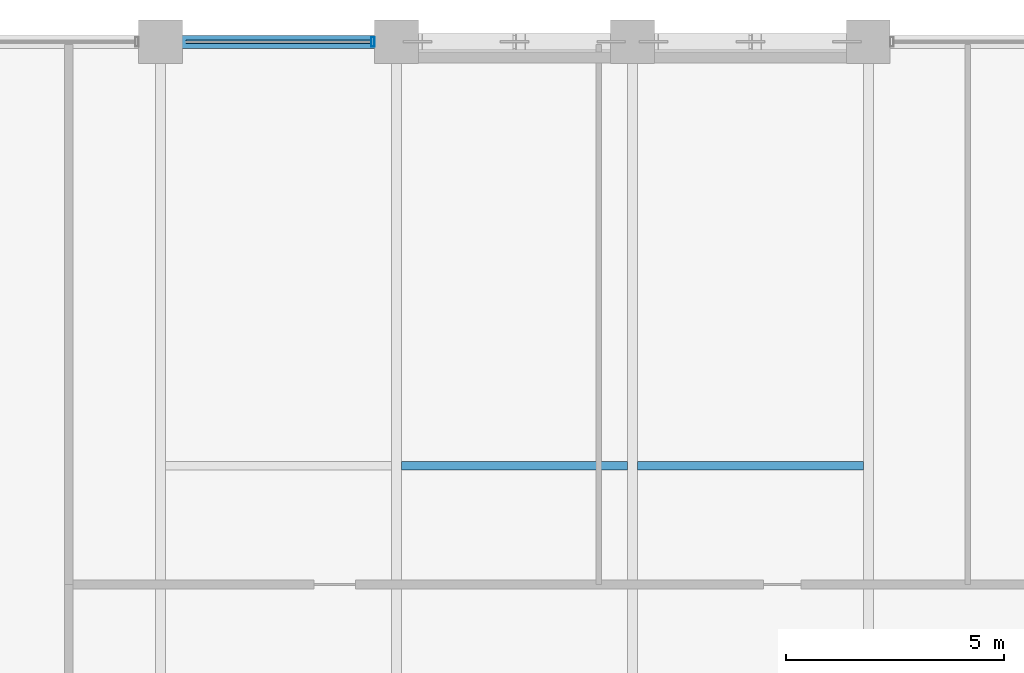
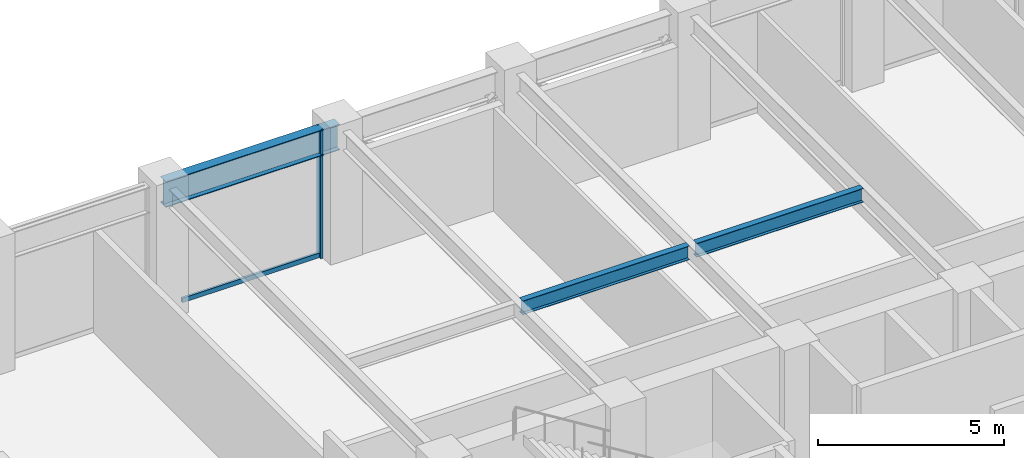
# One storey, part 12 of 25: 3 beams, 2 members, 1 element without a shape of its own.
"""IFC4 building model written with IfcOpenShell, lengths in metres."""

from ifc_helpers import new_model, si_unit, direction, frame, origin, origin_2d, place, context, subcontext, project, spatial, hollow_rectangle, i_section, extrude, material, layer, layer_set, material_profile, profile_set, type_object, element, aggregate, save


model = new_model("IFC4")

# Units and contexts
model_context = context("Model", 3, precision=1e-05, world=origin(), true_north=direction((0.0, 1.0)))
body_context = subcontext(model_context, "Body", "Model", "MODEL_VIEW")
ifc_project = project(units=[si_unit("LENGTHUNIT", "METRE"), si_unit("AREAUNIT", "SQUARE_METRE"), si_unit("VOLUMEUNIT", "CUBIC_METRE"), si_unit("PLANEANGLEUNIT", "RADIAN"), si_unit("MASSUNIT", "GRAM", prefix="KILO")], contexts=[model_context])

# Site, building, storey
site_placement = place(None, origin())
site = spatial("IfcSite", under=ifc_project, at=site_placement, CompositionType="ELEMENT")
building_placement = place(site_placement, origin())
building = spatial("IfcBuilding", under=site, at=building_placement, Name="Surkhivell Harbour Commons", CompositionType="ELEMENT")
storey_placement = place(building_placement, frame((0.0, 0.0, 162.0)))
storey = spatial("IfcBuildingStorey", under=building, at=storey_placement, Name="L42", CompositionType="ELEMENT", Elevation=162.0)

# Beams
ifc_material_1 = material(Name="Steel S355", Category="steel")
ifc_material_profile_1 = material_profile(ifc_material_1, i_section(OverallWidth=0.18994140625, OverallDepth=0.45703125, WebThickness=0.009033203125, FlangeThickness=0.014404296875, at=origin_2d()), Name="UB457x191x74")
ifc_profile_set_1 = profile_set([ifc_material_profile_1], Name="Steel S355")
beam_type_1 = type_object("IfcBeamType", Name="BM-JST-457B", PredefinedType="JOIST", material=ifc_profile_set_1)
for number, where, z_axis, x_axis, name in (
    (1, (-5.287109375, 16.199951171875, 4.021484375), (1.0, 0.0, 0.0), (0.0, 1.0, 0.0), "L42 North Composite Joist (-5.4)"),
    (2, (0.113037109375, 16.199951171875, 4.021484375), (1.0, 0.0, 0.0), (0.0, 1.0, 0.0), "L42 North Composite Joist (0.0)"),
):
    element("IfcBeam", number, at=place(storey_placement, frame(where, z_axis=z_axis, x_axis=x_axis)), inside=storey, type_object=beam_type_1, Name=name, PredefinedType="JOIST", context=body_context, shape_type="SweptSolid", body=[
        extrude(i_section(OverallWidth=0.18994140625, OverallDepth=0.45703125, WebThickness=0.009033203125, FlangeThickness=0.014404296875, at=origin_2d()), origin(), (0.0, 0.0, 1.0), 5.174072265625),
    ])
ifc_material_2 = material(Name="Steel S460", Category="steel")
ifc_material_profile_2 = material_profile(ifc_material_2, i_section(OverallWidth=0.2939453125, OverallDepth=0.85107421875, WebThickness=0.01611328125, FlangeThickness=0.02685546875, at=origin_2d()), Name="UB838x292x226")
ifc_profile_set_2 = profile_set([ifc_material_profile_2], Name="Steel S460")
beam_type_2 = type_object("IfcBeamType", Name="BM-SPN-838", PredefinedType="SPANDREL", material=ifc_profile_set_2)
beam_placement = place(storey_placement, frame((-10.800048828125, 25.89990234375, 3.824462890625), z_axis=(1.0, 0.0, 0.0), x_axis=(0.0, 1.0, 0.0)))
element("IfcBeam", 3, at=beam_placement, inside=storey, type_object=beam_type_2, Name="L42 Tube Spandrel (-10.8,25.9)", PredefinedType="SPANDREL", context=body_context, shape_type="SweptSolid", body=[
    extrude(i_section(OverallWidth=0.2939453125, OverallDepth=0.85107421875, WebThickness=0.01611328125, FlangeThickness=0.02685546875, at=origin_2d()), origin(), (0.0, 0.0, 1.0), 5.400146484375),
])

# Curtain wall, members
ifc_material_3 = material(Name="Anodised pale-metal aluminium and insulated glazing", Category="aluminium")
ifc_layer = layer(ifc_material_3, 0.205078125)
ifc_layer_set = layer_set([ifc_layer], Name="Anodised pale-metal aluminium and insulated glazing")
curtain_wall_type = type_object("IfcCurtainWallType", Name="CW-SYS-Z2", PredefinedType="NOTDEFINED", material=ifc_layer_set)
curtain_wall_placement = place(storey_placement, origin())
curtain_wall = element("IfcCurtainWall", 4, at=curtain_wall_placement, inside=storey, type_object=curtain_wall_type, Name="L42 Curtain Wall CW-L42-E07S2", PredefinedType="NOTDEFINED")
ifc_material_4 = material(Name="Anodised pale-metal aluminium alloy 6063-T6", Category="aluminium")
ifc_material_profile_3 = material_profile(ifc_material_4, hollow_rectangle(XDim=0.074951171875, YDim=0.219970703125, WallThickness=0.00390625, at=origin_2d()), Name="ALU-MULL-75x220")
ifc_profile_set_3 = profile_set([ifc_material_profile_3], Name="Anodised pale-metal aluminium alloy 6063-T6")
member_type_1 = type_object("IfcMemberType", Name="CWM-220", PredefinedType="MULLION", material=ifc_profile_set_3)
member_1_placement = place(storey_placement, frame((-5.939453125, 25.89990234375, 0.0), z_axis=(0.0, 0.0, 1.0), x_axis=(-1.0, 0.0, 0.0)))
member_1 = element("IfcMember", 5, at=member_1_placement, type_object=member_type_1, Name="CW-Z2 mullion 1", PredefinedType="MULLION", context=body_context, shape_type="SweptSolid", body=[
    extrude(hollow_rectangle(XDim=0.074951171875, YDim=0.219970703125, WallThickness=0.00390625, at=origin_2d()), origin(), (0.0, 0.0, 1.0), 4.25),
])
ifc_material_profile_4 = material_profile(ifc_material_4, hollow_rectangle(XDim=0.074951171875, YDim=0.14990234375, WallThickness=0.00341796875, at=origin_2d()), Name="ALU-TRAN-75x150")
ifc_profile_set_4 = profile_set([ifc_material_profile_4], Name="Anodised pale-metal aluminium alloy 6063-T6")
member_type_2 = type_object("IfcMemberType", Name="CWT-150", PredefinedType="USERDEFINED", material=ifc_profile_set_4)
member_2_placement = place(storey_placement, frame((-5.97705078125, 25.89990234375, 0.074951171875), z_axis=(-1.0, 0.0, 0.0), x_axis=(0.0, -1.0, 0.0)))
member_2 = element("IfcMember", 6, at=member_2_placement, type_object=member_type_2, Name="CW-Z2 transom 1.1", ObjectType="TRANSOM", PredefinedType="USERDEFINED", context=body_context, shape_type="SweptSolid", body=[
    extrude(hollow_rectangle(XDim=0.074951171875, YDim=0.14990234375, WallThickness=0.00341796875, at=origin_2d()), origin(), (0.0, 0.0, 1.0), 4.245849609375),
])
aggregate(curtain_wall, [member_1, member_2])

save(model, "model.ifc")
